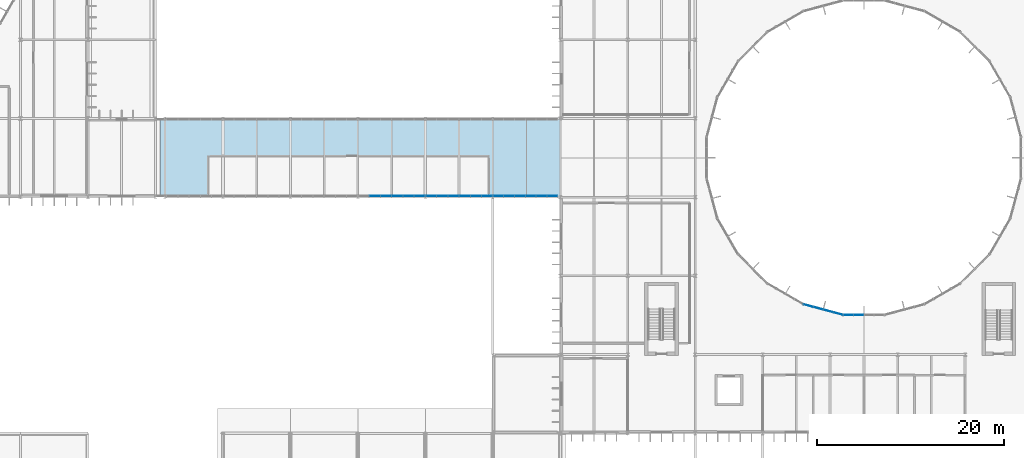
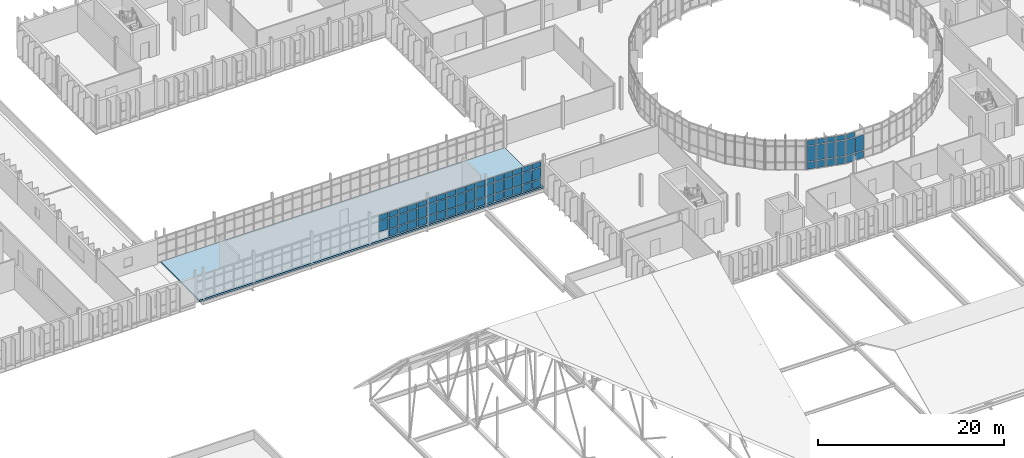
# One storey, part 58 of 99: 67 plates, 1 slab, 5 elements without a shape of their own.
"""IFC4 building model written with IfcOpenShell, lengths in metres."""

from ifc_helpers import new_model, si_unit, direction, frame, origin, origin_2d, place, context, subcontext, project, spatial, polyline, rectangle, outline, extrude, material, layer, layer_set, type_object, element, aggregate, save


model = new_model("IFC4")

# Units and contexts
model_context = context("Model", 3, precision=1e-05, world=origin(), true_north=direction((0.0, 1.0)))
body_context = subcontext(model_context, "Body", "Model", "MODEL_VIEW")
ifc_project = project(units=[si_unit("LENGTHUNIT", "METRE"), si_unit("AREAUNIT", "SQUARE_METRE"), si_unit("VOLUMEUNIT", "CUBIC_METRE"), si_unit("PLANEANGLEUNIT", "RADIAN"), si_unit("MASSUNIT", "GRAM", prefix="KILO")], contexts=[model_context])

# Site, building, storey
site_placement = place(None, origin())
site = spatial("IfcSite", under=ifc_project, at=site_placement, CompositionType="ELEMENT")
building_placement = place(site_placement, origin())
building = spatial("IfcBuilding", under=site, at=building_placement, Name="Qelthora Terrace Specialist Clinic", CompositionType="ELEMENT")
storey_placement = place(building_placement, frame((0.0, 0.0, 9.0)))
storey = spatial("IfcBuildingStorey", under=building, at=storey_placement, Name="L02", CompositionType="ELEMENT", Elevation=9.0)

# Curtain wall, plates
ifc_material_1 = material(Name="Aluminium anodized bronze", Category="aluminium")
curtain_wall_type_1 = type_object("IfcCurtainWallType", Name="CW-CRTE-UPP", PredefinedType="NOTDEFINED", material=ifc_material_1)
curtain_wall_1_placement = place(storey_placement, origin())
curtain_wall_1 = element("IfcCurtainWall", 1, at=curtain_wall_1_placement, inside=storey, type_object=curtain_wall_type_1, Name="Curtain wall CW-CE-L02-17", PredefinedType="NOTDEFINED")
ifc_material_2 = material(Name="Low-E triple-silver insulating glass", Category="glass")
ifc_layer_1 = layer(ifc_material_2, 0.035888671875)
ifc_layer_set_1 = layer_set([ifc_layer_1], Name="Low-E triple-silver insulating glass")
plate_type = type_object("IfcPlateType", Name="CWP-IGU-36", PredefinedType="CURTAIN_PANEL", material=ifc_layer_set_1)
plate_1_placement = place(storey_placement, frame((120.0693359375, 47.220947265625, 0.0849609375), z_axis=(0.0, 0.0, 1.0), x_axis=(0.965925826289, -0.258819045103, 0.0)))
plate_1 = element("IfcPlate", 2, at=plate_1_placement, type_object=plate_type, Name="CW-CE-L02-17 glazed panel 1", PredefinedType="CURTAIN_PANEL", context=body_context, shape_type="SweptSolid", body=[
    extrude(rectangle(XDim=0.996337890625, YDim=0.035888671875, at=origin_2d()), origin(), (0.0, 0.0, 1.0), 0.919921875),
])
plate_2_placement = place(storey_placement, frame((120.0693359375, 47.220947265625, 1.094970703125), z_axis=(0.0, 0.0, 1.0), x_axis=(0.965925826289, -0.258819045103, 0.0)))
plate_2 = element("IfcPlate", 3, at=plate_2_placement, type_object=plate_type, Name="CW-CE-L02-17 glazed panel 2", PredefinedType="CURTAIN_PANEL", context=body_context, shape_type="SweptSolid", body=[
    extrude(rectangle(XDim=0.996337890625, YDim=0.035888671875, at=origin_2d()), origin(), (0.0, 0.0, 1.0), 2.0048828125),
])
plate_3_placement = place(storey_placement, frame((120.0693359375, 47.220947265625, 3.18994140625), z_axis=(0.0, 0.0, 1.0), x_axis=(0.965925826289, -0.258819045103, 0.0)))
plate_3 = element("IfcPlate", 4, at=plate_3_placement, type_object=plate_type, Name="CW-CE-L02-17 glazed panel 3", PredefinedType="CURTAIN_PANEL", context=body_context, shape_type="SweptSolid", body=[
    extrude(rectangle(XDim=0.996337890625, YDim=0.035888671875, at=origin_2d()), origin(), (0.0, 0.0, 1.0), 0.669921875),
])
plate_4_placement = place(storey_placement, frame((121.12841796875, 46.937255859375, 0.0849609375), z_axis=(0.0, 0.0, 1.0), x_axis=(0.965925826289, -0.258819045103, 0.0)))
plate_4 = element("IfcPlate", 5, at=plate_4_placement, type_object=plate_type, Name="CW-CE-L02-17 glazed panel 4", PredefinedType="CURTAIN_PANEL", context=body_context, shape_type="SweptSolid", body=[
    extrude(rectangle(XDim=0.996337890625, YDim=0.035888671875, at=origin_2d()), origin(), (0.0, 0.0, 1.0), 0.919921875),
])
plate_5_placement = place(storey_placement, frame((121.12841796875, 46.937255859375, 1.094970703125), z_axis=(0.0, 0.0, 1.0), x_axis=(0.965925826289, -0.258819045103, 0.0)))
plate_5 = element("IfcPlate", 6, at=plate_5_placement, type_object=plate_type, Name="CW-CE-L02-17 glazed panel 5", PredefinedType="CURTAIN_PANEL", context=body_context, shape_type="SweptSolid", body=[
    extrude(rectangle(XDim=0.996337890625, YDim=0.035888671875, at=origin_2d()), origin(), (0.0, 0.0, 1.0), 2.0048828125),
])
plate_6_placement = place(storey_placement, frame((121.12841796875, 46.937255859375, 3.18994140625), z_axis=(0.0, 0.0, 1.0), x_axis=(0.965925826289, -0.258819045103, 0.0)))
plate_6 = element("IfcPlate", 7, at=plate_6_placement, type_object=plate_type, Name="CW-CE-L02-17 glazed panel 6", PredefinedType="CURTAIN_PANEL", context=body_context, shape_type="SweptSolid", body=[
    extrude(rectangle(XDim=0.996337890625, YDim=0.035888671875, at=origin_2d()), origin(), (0.0, 0.0, 1.0), 0.669921875),
])
plate_7_placement = place(storey_placement, frame((122.1875, 46.653564453125, 0.0849609375), z_axis=(0.0, 0.0, 1.0), x_axis=(0.965925826289, -0.258819045103, 0.0)))
plate_7 = element("IfcPlate", 8, at=plate_7_placement, type_object=plate_type, Name="CW-CE-L02-17 glazed panel 7", PredefinedType="CURTAIN_PANEL", context=body_context, shape_type="SweptSolid", body=[
    extrude(rectangle(XDim=0.996337890625, YDim=0.035888671875, at=origin_2d()), origin(), (0.0, 0.0, 1.0), 0.919921875),
])
plate_8_placement = place(storey_placement, frame((122.1875, 46.653564453125, 1.094970703125), z_axis=(0.0, 0.0, 1.0), x_axis=(0.965925826289, -0.258819045103, 0.0)))
plate_8 = element("IfcPlate", 9, at=plate_8_placement, type_object=plate_type, Name="CW-CE-L02-17 glazed panel 8", PredefinedType="CURTAIN_PANEL", context=body_context, shape_type="SweptSolid", body=[
    extrude(rectangle(XDim=0.996337890625, YDim=0.035888671875, at=origin_2d()), origin(), (0.0, 0.0, 1.0), 2.0048828125),
])
plate_9_placement = place(storey_placement, frame((122.1875, 46.653564453125, 3.18994140625), z_axis=(0.0, 0.0, 1.0), x_axis=(0.965925826289, -0.258819045103, 0.0)))
plate_9 = element("IfcPlate", 10, at=plate_9_placement, type_object=plate_type, Name="CW-CE-L02-17 glazed panel 9", PredefinedType="CURTAIN_PANEL", context=body_context, shape_type="SweptSolid", body=[
    extrude(rectangle(XDim=0.996337890625, YDim=0.035888671875, at=origin_2d()), origin(), (0.0, 0.0, 1.0), 0.669921875),
])
plate_10_placement = place(storey_placement, frame((123.24658203125, 46.36962890625, 0.0849609375), z_axis=(0.0, 0.0, 1.0), x_axis=(0.965925826289, -0.258819045103, 0.0)))
plate_10 = element("IfcPlate", 11, at=plate_10_placement, type_object=plate_type, Name="CW-CE-L02-17 glazed panel 10", PredefinedType="CURTAIN_PANEL", context=body_context, shape_type="SweptSolid", body=[
    extrude(rectangle(XDim=0.996337890625, YDim=0.035888671875, at=origin_2d()), origin(), (0.0, 0.0, 1.0), 0.919921875),
])
plate_11_placement = place(storey_placement, frame((123.24658203125, 46.36962890625, 1.094970703125), z_axis=(0.0, 0.0, 1.0), x_axis=(0.965925826289, -0.258819045103, 0.0)))
plate_11 = element("IfcPlate", 12, at=plate_11_placement, type_object=plate_type, Name="CW-CE-L02-17 glazed panel 11", PredefinedType="CURTAIN_PANEL", context=body_context, shape_type="SweptSolid", body=[
    extrude(rectangle(XDim=0.996337890625, YDim=0.035888671875, at=origin_2d()), origin(), (0.0, 0.0, 1.0), 2.0048828125),
])
plate_12_placement = place(storey_placement, frame((123.24658203125, 46.36962890625, 3.18994140625), z_axis=(0.0, 0.0, 1.0), x_axis=(0.965925826289, -0.258819045103, 0.0)))
plate_12 = element("IfcPlate", 13, at=plate_12_placement, type_object=plate_type, Name="CW-CE-L02-17 glazed panel 12", PredefinedType="CURTAIN_PANEL", context=body_context, shape_type="SweptSolid", body=[
    extrude(rectangle(XDim=0.996337890625, YDim=0.035888671875, at=origin_2d()), origin(), (0.0, 0.0, 1.0), 0.669921875),
])
aggregate(curtain_wall_1, [plate_1, plate_2, plate_3, plate_4, plate_5, plate_6, plate_7, plate_8, plate_9, plate_10, plate_11, plate_12])

curtain_wall_2_placement = place(storey_placement, origin())
curtain_wall_2 = element("IfcCurtainWall", 14, at=curtain_wall_2_placement, inside=storey, type_object=curtain_wall_type_1, Name="Curtain wall CW-CE-L02-18", PredefinedType="NOTDEFINED")
plate_13_placement = place(storey_placement, frame((124.35546875, 46.2236328125, 0.0849609375), z_axis=(0.0, 0.0, 1.0), x_axis=(1.0, 0.0, 0.0)))
plate_13 = element("IfcPlate", 15, at=plate_13_placement, type_object=plate_type, Name="CW-CE-L02-18 glazed panel 1", PredefinedType="CURTAIN_PANEL", context=body_context, shape_type="SweptSolid", body=[
    extrude(rectangle(XDim=0.996337890625, YDim=0.035888671875, at=origin_2d()), origin(), (0.0, 0.0, 1.0), 0.919921875),
])
plate_14_placement = place(storey_placement, frame((124.35546875, 46.2236328125, 1.094970703125), z_axis=(0.0, 0.0, 1.0), x_axis=(1.0, 0.0, 0.0)))
plate_14 = element("IfcPlate", 16, at=plate_14_placement, type_object=plate_type, Name="CW-CE-L02-18 glazed panel 2", PredefinedType="CURTAIN_PANEL", context=body_context, shape_type="SweptSolid", body=[
    extrude(rectangle(XDim=0.996337890625, YDim=0.035888671875, at=origin_2d()), origin(), (0.0, 0.0, 1.0), 2.0048828125),
])
plate_15_placement = place(storey_placement, frame((124.35546875, 46.2236328125, 3.18994140625), z_axis=(0.0, 0.0, 1.0), x_axis=(1.0, 0.0, 0.0)))
plate_15 = element("IfcPlate", 17, at=plate_15_placement, type_object=plate_type, Name="CW-CE-L02-18 glazed panel 3", PredefinedType="CURTAIN_PANEL", context=body_context, shape_type="SweptSolid", body=[
    extrude(rectangle(XDim=0.996337890625, YDim=0.035888671875, at=origin_2d()), origin(), (0.0, 0.0, 1.0), 0.669921875),
])
plate_16_placement = place(storey_placement, frame((125.451904296875, 46.2236328125, 0.0849609375), z_axis=(0.0, 0.0, 1.0), x_axis=(1.0, 0.0, 0.0)))
plate_16 = element("IfcPlate", 18, at=plate_16_placement, type_object=plate_type, Name="CW-CE-L02-18 glazed panel 4", PredefinedType="CURTAIN_PANEL", context=body_context, shape_type="SweptSolid", body=[
    extrude(rectangle(XDim=0.996337890625, YDim=0.035888671875, at=origin_2d()), origin(), (0.0, 0.0, 1.0), 0.919921875),
])
plate_17_placement = place(storey_placement, frame((125.451904296875, 46.2236328125, 1.094970703125), z_axis=(0.0, 0.0, 1.0), x_axis=(1.0, 0.0, 0.0)))
plate_17 = element("IfcPlate", 19, at=plate_17_placement, type_object=plate_type, Name="CW-CE-L02-18 glazed panel 5", PredefinedType="CURTAIN_PANEL", context=body_context, shape_type="SweptSolid", body=[
    extrude(rectangle(XDim=0.996337890625, YDim=0.035888671875, at=origin_2d()), origin(), (0.0, 0.0, 1.0), 2.0048828125),
])
aggregate(curtain_wall_2, [plate_13, plate_14, plate_15, plate_16, plate_17])

curtain_wall_type_2 = type_object("IfcCurtainWallType", Name="CW-BRG-L02", PredefinedType="NOTDEFINED", material=ifc_material_1)
curtain_wall_3_placement = place(storey_placement, origin())
curtain_wall_3 = element("IfcCurtainWall", 20, at=curtain_wall_3_placement, inside=storey, type_object=curtain_wall_type_2, Name="Curtain wall CW-L02-265", PredefinedType="NOTDEFINED")
plate_18_placement = place(storey_placement, frame((73.800048828125, 58.919921875, 1.09521484375), z_axis=(0.0, 0.0, 1.0), x_axis=(1.0, 0.0, 0.0)))
plate_18 = element("IfcPlate", 21, at=plate_18_placement, type_object=plate_type, Name="CW-L02-265 glazed panel 5", PredefinedType="CURTAIN_PANEL", context=body_context, shape_type="SweptSolid", body=[
    extrude(rectangle(XDim=1.10009765625, YDim=0.035888671875, at=origin_2d()), origin(), (0.0, 0.0, 1.0), 1.389892578125),
])
plate_19_placement = place(storey_placement, frame((73.800048828125, 58.919921875, 2.574951171875), z_axis=(0.0, 0.0, 1.0), x_axis=(1.0, 0.0, 0.0)))
plate_19 = element("IfcPlate", 22, at=plate_19_placement, type_object=plate_type, Name="CW-L02-265 glazed panel 6", PredefinedType="CURTAIN_PANEL", context=body_context, shape_type="SweptSolid", body=[
    extrude(rectangle(XDim=1.10009765625, YDim=0.035888671875, at=origin_2d()), origin(), (0.0, 0.0, 1.0), 0.669921875),
])
plate_20_placement = place(storey_placement, frame((75.0, 58.919921875, 0.0849609375), z_axis=(0.0, 0.0, 1.0), x_axis=(1.0, 0.0, 0.0)))
plate_20 = element("IfcPlate", 23, at=plate_20_placement, type_object=plate_type, Name="CW-L02-265 glazed panel 7", PredefinedType="CURTAIN_PANEL", context=body_context, shape_type="SweptSolid", body=[
    extrude(rectangle(XDim=1.10009765625, YDim=0.035888671875, at=origin_2d()), origin(), (0.0, 0.0, 1.0), 0.919921875),
])
plate_21_placement = place(storey_placement, frame((75.0, 58.919921875, 1.09521484375), z_axis=(0.0, 0.0, 1.0), x_axis=(1.0, 0.0, 0.0)))
plate_21 = element("IfcPlate", 24, at=plate_21_placement, type_object=plate_type, Name="CW-L02-265 glazed panel 8", PredefinedType="CURTAIN_PANEL", context=body_context, shape_type="SweptSolid", body=[
    extrude(rectangle(XDim=1.10009765625, YDim=0.035888671875, at=origin_2d()), origin(), (0.0, 0.0, 1.0), 1.389892578125),
])
plate_22_placement = place(storey_placement, frame((75.0, 58.919921875, 2.574951171875), z_axis=(0.0, 0.0, 1.0), x_axis=(1.0, 0.0, 0.0)))
plate_22 = element("IfcPlate", 25, at=plate_22_placement, type_object=plate_type, Name="CW-L02-265 glazed panel 9", PredefinedType="CURTAIN_PANEL", context=body_context, shape_type="SweptSolid", body=[
    extrude(rectangle(XDim=1.10009765625, YDim=0.035888671875, at=origin_2d()), origin(), (0.0, 0.0, 1.0), 0.669921875),
])
plate_23_placement = place(storey_placement, frame((76.199951171875, 58.919921875, 0.0849609375), z_axis=(0.0, 0.0, 1.0), x_axis=(1.0, 0.0, 0.0)))
plate_23 = element("IfcPlate", 26, at=plate_23_placement, type_object=plate_type, Name="CW-L02-265 glazed panel 10", PredefinedType="CURTAIN_PANEL", context=body_context, shape_type="SweptSolid", body=[
    extrude(rectangle(XDim=1.10009765625, YDim=0.035888671875, at=origin_2d()), origin(), (0.0, 0.0, 1.0), 0.919921875),
])
plate_24_placement = place(storey_placement, frame((76.199951171875, 58.919921875, 1.09521484375), z_axis=(0.0, 0.0, 1.0), x_axis=(1.0, 0.0, 0.0)))
plate_24 = element("IfcPlate", 27, at=plate_24_placement, type_object=plate_type, Name="CW-L02-265 glazed panel 11", PredefinedType="CURTAIN_PANEL", context=body_context, shape_type="SweptSolid", body=[
    extrude(rectangle(XDim=1.10009765625, YDim=0.035888671875, at=origin_2d()), origin(), (0.0, 0.0, 1.0), 1.389892578125),
])
plate_25_placement = place(storey_placement, frame((76.199951171875, 58.919921875, 2.574951171875), z_axis=(0.0, 0.0, 1.0), x_axis=(1.0, 0.0, 0.0)))
plate_25 = element("IfcPlate", 28, at=plate_25_placement, type_object=plate_type, Name="CW-L02-265 glazed panel 12", PredefinedType="CURTAIN_PANEL", context=body_context, shape_type="SweptSolid", body=[
    extrude(rectangle(XDim=1.10009765625, YDim=0.035888671875, at=origin_2d()), origin(), (0.0, 0.0, 1.0), 0.669921875),
])
plate_26_placement = place(storey_placement, frame((77.39990234375, 58.919921875, 0.0849609375), z_axis=(0.0, 0.0, 1.0), x_axis=(1.0, 0.0, 0.0)))
plate_26 = element("IfcPlate", 29, at=plate_26_placement, type_object=plate_type, Name="CW-L02-265 glazed panel 13", PredefinedType="CURTAIN_PANEL", context=body_context, shape_type="SweptSolid", body=[
    extrude(rectangle(XDim=1.10009765625, YDim=0.035888671875, at=origin_2d()), origin(), (0.0, 0.0, 1.0), 0.919921875),
])
plate_27_placement = place(storey_placement, frame((77.39990234375, 58.919921875, 1.09521484375), z_axis=(0.0, 0.0, 1.0), x_axis=(1.0, 0.0, 0.0)))
plate_27 = element("IfcPlate", 30, at=plate_27_placement, type_object=plate_type, Name="CW-L02-265 glazed panel 14", PredefinedType="CURTAIN_PANEL", context=body_context, shape_type="SweptSolid", body=[
    extrude(rectangle(XDim=1.10009765625, YDim=0.035888671875, at=origin_2d()), origin(), (0.0, 0.0, 1.0), 1.389892578125),
])
plate_28_placement = place(storey_placement, frame((77.39990234375, 58.919921875, 2.574951171875), z_axis=(0.0, 0.0, 1.0), x_axis=(1.0, 0.0, 0.0)))
plate_28 = element("IfcPlate", 31, at=plate_28_placement, type_object=plate_type, Name="CW-L02-265 glazed panel 15", PredefinedType="CURTAIN_PANEL", context=body_context, shape_type="SweptSolid", body=[
    extrude(rectangle(XDim=1.10009765625, YDim=0.035888671875, at=origin_2d()), origin(), (0.0, 0.0, 1.0), 0.669921875),
])
plate_29_placement = place(storey_placement, frame((78.60009765625, 58.919921875, 0.0849609375), z_axis=(0.0, 0.0, 1.0), x_axis=(1.0, 0.0, 0.0)))
plate_29 = element("IfcPlate", 32, at=plate_29_placement, type_object=plate_type, Name="CW-L02-265 glazed panel 16", PredefinedType="CURTAIN_PANEL", context=body_context, shape_type="SweptSolid", body=[
    extrude(rectangle(XDim=1.10009765625, YDim=0.035888671875, at=origin_2d()), origin(), (0.0, 0.0, 1.0), 0.919921875),
])
plate_30_placement = place(storey_placement, frame((78.60009765625, 58.919921875, 1.09521484375), z_axis=(0.0, 0.0, 1.0), x_axis=(1.0, 0.0, 0.0)))
plate_30 = element("IfcPlate", 33, at=plate_30_placement, type_object=plate_type, Name="CW-L02-265 glazed panel 17", PredefinedType="CURTAIN_PANEL", context=body_context, shape_type="SweptSolid", body=[
    extrude(rectangle(XDim=1.10009765625, YDim=0.035888671875, at=origin_2d()), origin(), (0.0, 0.0, 1.0), 1.389892578125),
])
plate_31_placement = place(storey_placement, frame((78.60009765625, 58.919921875, 2.574951171875), z_axis=(0.0, 0.0, 1.0), x_axis=(1.0, 0.0, 0.0)))
plate_31 = element("IfcPlate", 34, at=plate_31_placement, type_object=plate_type, Name="CW-L02-265 glazed panel 18", PredefinedType="CURTAIN_PANEL", context=body_context, shape_type="SweptSolid", body=[
    extrude(rectangle(XDim=1.10009765625, YDim=0.035888671875, at=origin_2d()), origin(), (0.0, 0.0, 1.0), 0.669921875),
])
aggregate(curtain_wall_3, [plate_18, plate_19, plate_20, plate_21, plate_22, plate_23, plate_24, plate_25, plate_26, plate_27, plate_28, plate_29, plate_30, plate_31])

curtain_wall_4_placement = place(storey_placement, origin())
curtain_wall_4 = element("IfcCurtainWall", 35, at=curtain_wall_4_placement, inside=storey, type_object=curtain_wall_type_2, Name="Curtain wall CW-L02-266", PredefinedType="NOTDEFINED")
plate_32_placement = place(storey_placement, frame((79.800048828125, 58.919921875, 0.0849609375), z_axis=(0.0, 0.0, 1.0), x_axis=(1.0, 0.0, 0.0)))
plate_32 = element("IfcPlate", 36, at=plate_32_placement, type_object=plate_type, Name="CW-L02-266 glazed panel 1", PredefinedType="CURTAIN_PANEL", context=body_context, shape_type="SweptSolid", body=[
    extrude(rectangle(XDim=1.10009765625, YDim=0.035888671875, at=origin_2d()), origin(), (0.0, 0.0, 1.0), 0.919921875),
])
plate_33_placement = place(storey_placement, frame((79.800048828125, 58.919921875, 1.094970703125), z_axis=(0.0, 0.0, 1.0), x_axis=(1.0, 0.0, 0.0)))
plate_33 = element("IfcPlate", 37, at=plate_33_placement, type_object=plate_type, Name="CW-L02-266 glazed panel 2", PredefinedType="CURTAIN_PANEL", context=body_context, shape_type="SweptSolid", body=[
    extrude(rectangle(XDim=1.10009765625, YDim=0.035888671875, at=origin_2d()), origin(), (0.0, 0.0, 1.0), 1.4580078125),
])
plate_34_placement = place(storey_placement, frame((79.800048828125, 58.919921875, 2.64306640625), z_axis=(0.0, 0.0, 1.0), x_axis=(1.0, 0.0, 0.0)))
plate_34 = element("IfcPlate", 38, at=plate_34_placement, type_object=plate_type, Name="CW-L02-266 glazed panel 3", PredefinedType="CURTAIN_PANEL", context=body_context, shape_type="SweptSolid", body=[
    extrude(rectangle(XDim=1.10009765625, YDim=0.035888671875, at=origin_2d()), origin(), (0.0, 0.0, 1.0), 0.669921875),
])
plate_35_placement = place(storey_placement, frame((81.0, 58.919921875, 0.0849609375), z_axis=(0.0, 0.0, 1.0), x_axis=(1.0, 0.0, 0.0)))
plate_35 = element("IfcPlate", 39, at=plate_35_placement, type_object=plate_type, Name="CW-L02-266 glazed panel 4", PredefinedType="CURTAIN_PANEL", context=body_context, shape_type="SweptSolid", body=[
    extrude(rectangle(XDim=1.10009765625, YDim=0.035888671875, at=origin_2d()), origin(), (0.0, 0.0, 1.0), 0.919921875),
])
plate_36_placement = place(storey_placement, frame((81.0, 58.919921875, 1.094970703125), z_axis=(0.0, 0.0, 1.0), x_axis=(1.0, 0.0, 0.0)))
plate_36 = element("IfcPlate", 40, at=plate_36_placement, type_object=plate_type, Name="CW-L02-266 glazed panel 5", PredefinedType="CURTAIN_PANEL", context=body_context, shape_type="SweptSolid", body=[
    extrude(rectangle(XDim=1.10009765625, YDim=0.035888671875, at=origin_2d()), origin(), (0.0, 0.0, 1.0), 1.4580078125),
])
plate_37_placement = place(storey_placement, frame((81.0, 58.919921875, 2.64306640625), z_axis=(0.0, 0.0, 1.0), x_axis=(1.0, 0.0, 0.0)))
plate_37 = element("IfcPlate", 41, at=plate_37_placement, type_object=plate_type, Name="CW-L02-266 glazed panel 6", PredefinedType="CURTAIN_PANEL", context=body_context, shape_type="SweptSolid", body=[
    extrude(rectangle(XDim=1.10009765625, YDim=0.035888671875, at=origin_2d()), origin(), (0.0, 0.0, 1.0), 0.669921875),
])
plate_38_placement = place(storey_placement, frame((82.199951171875, 58.919921875, 0.0849609375), z_axis=(0.0, 0.0, 1.0), x_axis=(1.0, 0.0, 0.0)))
plate_38 = element("IfcPlate", 42, at=plate_38_placement, type_object=plate_type, Name="CW-L02-266 glazed panel 7", PredefinedType="CURTAIN_PANEL", context=body_context, shape_type="SweptSolid", body=[
    extrude(rectangle(XDim=1.10009765625, YDim=0.035888671875, at=origin_2d()), origin(), (0.0, 0.0, 1.0), 0.919921875),
])
plate_39_placement = place(storey_placement, frame((82.199951171875, 58.919921875, 1.094970703125), z_axis=(0.0, 0.0, 1.0), x_axis=(1.0, 0.0, 0.0)))
plate_39 = element("IfcPlate", 43, at=plate_39_placement, type_object=plate_type, Name="CW-L02-266 glazed panel 8", PredefinedType="CURTAIN_PANEL", context=body_context, shape_type="SweptSolid", body=[
    extrude(rectangle(XDim=1.10009765625, YDim=0.035888671875, at=origin_2d()), origin(), (0.0, 0.0, 1.0), 1.4580078125),
])
plate_40_placement = place(storey_placement, frame((82.199951171875, 58.919921875, 2.64306640625), z_axis=(0.0, 0.0, 1.0), x_axis=(1.0, 0.0, 0.0)))
plate_40 = element("IfcPlate", 44, at=plate_40_placement, type_object=plate_type, Name="CW-L02-266 glazed panel 9", PredefinedType="CURTAIN_PANEL", context=body_context, shape_type="SweptSolid", body=[
    extrude(rectangle(XDim=1.10009765625, YDim=0.035888671875, at=origin_2d()), origin(), (0.0, 0.0, 1.0), 0.669921875),
])
plate_41_placement = place(storey_placement, frame((83.39990234375, 58.919921875, 0.0849609375), z_axis=(0.0, 0.0, 1.0), x_axis=(1.0, 0.0, 0.0)))
plate_41 = element("IfcPlate", 45, at=plate_41_placement, type_object=plate_type, Name="CW-L02-266 glazed panel 10", PredefinedType="CURTAIN_PANEL", context=body_context, shape_type="SweptSolid", body=[
    extrude(rectangle(XDim=1.10009765625, YDim=0.035888671875, at=origin_2d()), origin(), (0.0, 0.0, 1.0), 0.919921875),
])
plate_42_placement = place(storey_placement, frame((83.39990234375, 58.919921875, 1.094970703125), z_axis=(0.0, 0.0, 1.0), x_axis=(1.0, 0.0, 0.0)))
plate_42 = element("IfcPlate", 46, at=plate_42_placement, type_object=plate_type, Name="CW-L02-266 glazed panel 11", PredefinedType="CURTAIN_PANEL", context=body_context, shape_type="SweptSolid", body=[
    extrude(rectangle(XDim=1.10009765625, YDim=0.035888671875, at=origin_2d()), origin(), (0.0, 0.0, 1.0), 1.4580078125),
])
plate_43_placement = place(storey_placement, frame((83.39990234375, 58.919921875, 2.64306640625), z_axis=(0.0, 0.0, 1.0), x_axis=(1.0, 0.0, 0.0)))
plate_43 = element("IfcPlate", 47, at=plate_43_placement, type_object=plate_type, Name="CW-L02-266 glazed panel 12", PredefinedType="CURTAIN_PANEL", context=body_context, shape_type="SweptSolid", body=[
    extrude(rectangle(XDim=1.10009765625, YDim=0.035888671875, at=origin_2d()), origin(), (0.0, 0.0, 1.0), 0.669921875),
])
plate_44_placement = place(storey_placement, frame((84.60009765625, 58.919921875, 0.0849609375), z_axis=(0.0, 0.0, 1.0), x_axis=(1.0, 0.0, 0.0)))
plate_44 = element("IfcPlate", 48, at=plate_44_placement, type_object=plate_type, Name="CW-L02-266 glazed panel 13", PredefinedType="CURTAIN_PANEL", context=body_context, shape_type="SweptSolid", body=[
    extrude(rectangle(XDim=1.10009765625, YDim=0.035888671875, at=origin_2d()), origin(), (0.0, 0.0, 1.0), 0.919921875),
])
plate_45_placement = place(storey_placement, frame((84.60009765625, 58.919921875, 1.094970703125), z_axis=(0.0, 0.0, 1.0), x_axis=(1.0, 0.0, 0.0)))
plate_45 = element("IfcPlate", 49, at=plate_45_placement, type_object=plate_type, Name="CW-L02-266 glazed panel 14", PredefinedType="CURTAIN_PANEL", context=body_context, shape_type="SweptSolid", body=[
    extrude(rectangle(XDim=1.10009765625, YDim=0.035888671875, at=origin_2d()), origin(), (0.0, 0.0, 1.0), 1.4580078125),
])
plate_46_placement = place(storey_placement, frame((84.60009765625, 58.919921875, 2.64306640625), z_axis=(0.0, 0.0, 1.0), x_axis=(1.0, 0.0, 0.0)))
plate_46 = element("IfcPlate", 50, at=plate_46_placement, type_object=plate_type, Name="CW-L02-266 glazed panel 15", PredefinedType="CURTAIN_PANEL", context=body_context, shape_type="SweptSolid", body=[
    extrude(rectangle(XDim=1.10009765625, YDim=0.035888671875, at=origin_2d()), origin(), (0.0, 0.0, 1.0), 0.669921875),
])
plate_47_placement = place(storey_placement, frame((85.800048828125, 58.919921875, 0.0849609375), z_axis=(0.0, 0.0, 1.0), x_axis=(1.0, 0.0, 0.0)))
plate_47 = element("IfcPlate", 51, at=plate_47_placement, type_object=plate_type, Name="CW-L02-266 glazed panel 16", PredefinedType="CURTAIN_PANEL", context=body_context, shape_type="SweptSolid", body=[
    extrude(rectangle(XDim=1.10009765625, YDim=0.035888671875, at=origin_2d()), origin(), (0.0, 0.0, 1.0), 0.919921875),
])
plate_48_placement = place(storey_placement, frame((85.800048828125, 58.919921875, 1.094970703125), z_axis=(0.0, 0.0, 1.0), x_axis=(1.0, 0.0, 0.0)))
plate_48 = element("IfcPlate", 52, at=plate_48_placement, type_object=plate_type, Name="CW-L02-266 glazed panel 17", PredefinedType="CURTAIN_PANEL", context=body_context, shape_type="SweptSolid", body=[
    extrude(rectangle(XDim=1.10009765625, YDim=0.035888671875, at=origin_2d()), origin(), (0.0, 0.0, 1.0), 1.4580078125),
])
plate_49_placement = place(storey_placement, frame((85.800048828125, 58.919921875, 2.64306640625), z_axis=(0.0, 0.0, 1.0), x_axis=(1.0, 0.0, 0.0)))
plate_49 = element("IfcPlate", 53, at=plate_49_placement, type_object=plate_type, Name="CW-L02-266 glazed panel 18", PredefinedType="CURTAIN_PANEL", context=body_context, shape_type="SweptSolid", body=[
    extrude(rectangle(XDim=1.10009765625, YDim=0.035888671875, at=origin_2d()), origin(), (0.0, 0.0, 1.0), 0.669921875),
])
aggregate(curtain_wall_4, [plate_32, plate_33, plate_34, plate_35, plate_36, plate_37, plate_38, plate_39, plate_40, plate_41, plate_42, plate_43, plate_44, plate_45, plate_46, plate_47, plate_48, plate_49])

curtain_wall_5_placement = place(storey_placement, origin())
curtain_wall_5 = element("IfcCurtainWall", 54, at=curtain_wall_5_placement, inside=storey, type_object=curtain_wall_type_2, Name="Curtain wall CW-L02-267", PredefinedType="NOTDEFINED")
plate_50_placement = place(storey_placement, frame((86.978271484375, 58.919921875, 0.0849609375), z_axis=(0.0, 0.0, 1.0), x_axis=(1.0, 0.0, 0.0)))
plate_50 = element("IfcPlate", 55, at=plate_50_placement, type_object=plate_type, Name="CW-L02-267 glazed panel 1", PredefinedType="CURTAIN_PANEL", context=body_context, shape_type="SweptSolid", body=[
    extrude(rectangle(XDim=1.056640625, YDim=0.035888671875, at=origin_2d()), origin(), (0.0, 0.0, 1.0), 0.919921875),
])
plate_51_placement = place(storey_placement, frame((86.978271484375, 58.919921875, 1.0947265625), z_axis=(0.0, 0.0, 1.0), x_axis=(1.0, 0.0, 0.0)))
plate_51 = element("IfcPlate", 56, at=plate_51_placement, type_object=plate_type, Name="CW-L02-267 glazed panel 2", PredefinedType="CURTAIN_PANEL", context=body_context, shape_type="SweptSolid", body=[
    extrude(rectangle(XDim=1.056640625, YDim=0.035888671875, at=origin_2d()), origin(), (0.0, 0.0, 1.0), 1.465087890625),
])
plate_52_placement = place(storey_placement, frame((86.978271484375, 58.919921875, 2.650146484375), z_axis=(0.0, 0.0, 1.0), x_axis=(1.0, 0.0, 0.0)))
plate_52 = element("IfcPlate", 57, at=plate_52_placement, type_object=plate_type, Name="CW-L02-267 glazed panel 3", PredefinedType="CURTAIN_PANEL", context=body_context, shape_type="SweptSolid", body=[
    extrude(rectangle(XDim=1.056640625, YDim=0.035888671875, at=origin_2d()), origin(), (0.0, 0.0, 1.0), 0.669921875),
])
plate_53_placement = place(storey_placement, frame((88.135009765625, 58.919921875, 0.0849609375), z_axis=(0.0, 0.0, 1.0), x_axis=(1.0, 0.0, 0.0)))
plate_53 = element("IfcPlate", 58, at=plate_53_placement, type_object=plate_type, Name="CW-L02-267 glazed panel 4", PredefinedType="CURTAIN_PANEL", context=body_context, shape_type="SweptSolid", body=[
    extrude(rectangle(XDim=1.056640625, YDim=0.035888671875, at=origin_2d()), origin(), (0.0, 0.0, 1.0), 0.919921875),
])
plate_54_placement = place(storey_placement, frame((88.135009765625, 58.919921875, 1.0947265625), z_axis=(0.0, 0.0, 1.0), x_axis=(1.0, 0.0, 0.0)))
plate_54 = element("IfcPlate", 59, at=plate_54_placement, type_object=plate_type, Name="CW-L02-267 glazed panel 5", PredefinedType="CURTAIN_PANEL", context=body_context, shape_type="SweptSolid", body=[
    extrude(rectangle(XDim=1.056640625, YDim=0.035888671875, at=origin_2d()), origin(), (0.0, 0.0, 1.0), 1.465087890625),
])
plate_55_placement = place(storey_placement, frame((88.135009765625, 58.919921875, 2.650146484375), z_axis=(0.0, 0.0, 1.0), x_axis=(1.0, 0.0, 0.0)))
plate_55 = element("IfcPlate", 60, at=plate_55_placement, type_object=plate_type, Name="CW-L02-267 glazed panel 6", PredefinedType="CURTAIN_PANEL", context=body_context, shape_type="SweptSolid", body=[
    extrude(rectangle(XDim=1.056640625, YDim=0.035888671875, at=origin_2d()), origin(), (0.0, 0.0, 1.0), 0.669921875),
])
plate_56_placement = place(storey_placement, frame((89.291748046875, 58.919921875, 0.0849609375), z_axis=(0.0, 0.0, 1.0), x_axis=(1.0, 0.0, 0.0)))
plate_56 = element("IfcPlate", 61, at=plate_56_placement, type_object=plate_type, Name="CW-L02-267 glazed panel 7", PredefinedType="CURTAIN_PANEL", context=body_context, shape_type="SweptSolid", body=[
    extrude(rectangle(XDim=1.056640625, YDim=0.035888671875, at=origin_2d()), origin(), (0.0, 0.0, 1.0), 0.919921875),
])
plate_57_placement = place(storey_placement, frame((89.291748046875, 58.919921875, 1.0947265625), z_axis=(0.0, 0.0, 1.0), x_axis=(1.0, 0.0, 0.0)))
plate_57 = element("IfcPlate", 62, at=plate_57_placement, type_object=plate_type, Name="CW-L02-267 glazed panel 8", PredefinedType="CURTAIN_PANEL", context=body_context, shape_type="SweptSolid", body=[
    extrude(rectangle(XDim=1.056640625, YDim=0.035888671875, at=origin_2d()), origin(), (0.0, 0.0, 1.0), 1.465087890625),
])
plate_58_placement = place(storey_placement, frame((89.291748046875, 58.919921875, 2.650146484375), z_axis=(0.0, 0.0, 1.0), x_axis=(1.0, 0.0, 0.0)))
plate_58 = element("IfcPlate", 63, at=plate_58_placement, type_object=plate_type, Name="CW-L02-267 glazed panel 9", PredefinedType="CURTAIN_PANEL", context=body_context, shape_type="SweptSolid", body=[
    extrude(rectangle(XDim=1.056640625, YDim=0.035888671875, at=origin_2d()), origin(), (0.0, 0.0, 1.0), 0.669921875),
])
plate_59_placement = place(storey_placement, frame((90.4482421875, 58.919921875, 0.0849609375), z_axis=(0.0, 0.0, 1.0), x_axis=(1.0, 0.0, 0.0)))
plate_59 = element("IfcPlate", 64, at=plate_59_placement, type_object=plate_type, Name="CW-L02-267 glazed panel 10", PredefinedType="CURTAIN_PANEL", context=body_context, shape_type="SweptSolid", body=[
    extrude(rectangle(XDim=1.056640625, YDim=0.035888671875, at=origin_2d()), origin(), (0.0, 0.0, 1.0), 0.919921875),
])
plate_60_placement = place(storey_placement, frame((90.4482421875, 58.919921875, 1.0947265625), z_axis=(0.0, 0.0, 1.0), x_axis=(1.0, 0.0, 0.0)))
plate_60 = element("IfcPlate", 65, at=plate_60_placement, type_object=plate_type, Name="CW-L02-267 glazed panel 11", PredefinedType="CURTAIN_PANEL", context=body_context, shape_type="SweptSolid", body=[
    extrude(rectangle(XDim=1.056640625, YDim=0.035888671875, at=origin_2d()), origin(), (0.0, 0.0, 1.0), 1.465087890625),
])
plate_61_placement = place(storey_placement, frame((90.4482421875, 58.919921875, 2.650146484375), z_axis=(0.0, 0.0, 1.0), x_axis=(1.0, 0.0, 0.0)))
plate_61 = element("IfcPlate", 66, at=plate_61_placement, type_object=plate_type, Name="CW-L02-267 glazed panel 12", PredefinedType="CURTAIN_PANEL", context=body_context, shape_type="SweptSolid", body=[
    extrude(rectangle(XDim=1.056640625, YDim=0.035888671875, at=origin_2d()), origin(), (0.0, 0.0, 1.0), 0.669921875),
])
plate_62_placement = place(storey_placement, frame((91.60498046875, 58.919921875, 0.0849609375), z_axis=(0.0, 0.0, 1.0), x_axis=(1.0, 0.0, 0.0)))
plate_62 = element("IfcPlate", 67, at=plate_62_placement, type_object=plate_type, Name="CW-L02-267 glazed panel 13", PredefinedType="CURTAIN_PANEL", context=body_context, shape_type="SweptSolid", body=[
    extrude(rectangle(XDim=1.056640625, YDim=0.035888671875, at=origin_2d()), origin(), (0.0, 0.0, 1.0), 0.919921875),
])
plate_63_placement = place(storey_placement, frame((91.60498046875, 58.919921875, 1.0947265625), z_axis=(0.0, 0.0, 1.0), x_axis=(1.0, 0.0, 0.0)))
plate_63 = element("IfcPlate", 68, at=plate_63_placement, type_object=plate_type, Name="CW-L02-267 glazed panel 14", PredefinedType="CURTAIN_PANEL", context=body_context, shape_type="SweptSolid", body=[
    extrude(rectangle(XDim=1.056640625, YDim=0.035888671875, at=origin_2d()), origin(), (0.0, 0.0, 1.0), 1.465087890625),
])
plate_64_placement = place(storey_placement, frame((91.60498046875, 58.919921875, 2.650146484375), z_axis=(0.0, 0.0, 1.0), x_axis=(1.0, 0.0, 0.0)))
plate_64 = element("IfcPlate", 69, at=plate_64_placement, type_object=plate_type, Name="CW-L02-267 glazed panel 15", PredefinedType="CURTAIN_PANEL", context=body_context, shape_type="SweptSolid", body=[
    extrude(rectangle(XDim=1.056640625, YDim=0.035888671875, at=origin_2d()), origin(), (0.0, 0.0, 1.0), 0.669921875),
])
plate_65_placement = place(storey_placement, frame((92.76171875, 58.919921875, 0.0849609375), z_axis=(0.0, 0.0, 1.0), x_axis=(1.0, 0.0, 0.0)))
plate_65 = element("IfcPlate", 70, at=plate_65_placement, type_object=plate_type, Name="CW-L02-267 glazed panel 16", PredefinedType="CURTAIN_PANEL", context=body_context, shape_type="SweptSolid", body=[
    extrude(rectangle(XDim=1.056640625, YDim=0.035888671875, at=origin_2d()), origin(), (0.0, 0.0, 1.0), 0.919921875),
])
plate_66_placement = place(storey_placement, frame((92.76171875, 58.919921875, 1.0947265625), z_axis=(0.0, 0.0, 1.0), x_axis=(1.0, 0.0, 0.0)))
plate_66 = element("IfcPlate", 71, at=plate_66_placement, type_object=plate_type, Name="CW-L02-267 glazed panel 17", PredefinedType="CURTAIN_PANEL", context=body_context, shape_type="SweptSolid", body=[
    extrude(rectangle(XDim=1.056640625, YDim=0.035888671875, at=origin_2d()), origin(), (0.0, 0.0, 1.0), 1.465087890625),
])
plate_67_placement = place(storey_placement, frame((92.76171875, 58.919921875, 2.650146484375), z_axis=(0.0, 0.0, 1.0), x_axis=(1.0, 0.0, 0.0)))
plate_67 = element("IfcPlate", 72, at=plate_67_placement, type_object=plate_type, Name="CW-L02-267 glazed panel 18", PredefinedType="CURTAIN_PANEL", context=body_context, shape_type="SweptSolid", body=[
    extrude(rectangle(XDim=1.056640625, YDim=0.035888671875, at=origin_2d()), origin(), (0.0, 0.0, 1.0), 0.669921875),
])
aggregate(curtain_wall_5, [plate_50, plate_51, plate_52, plate_53, plate_54, plate_55, plate_56, plate_57, plate_58, plate_59, plate_60, plate_61, plate_62, plate_63, plate_64, plate_65, plate_66, plate_67])

# Slab
ifc_material_3 = material(Name="Concrete C30/37", Category="concrete")
ifc_layer_2 = layer(ifc_material_3, 0.219970703125)
ifc_layer_set_2 = layer_set([ifc_layer_2], Name="Concrete C30/37")
slab_type = type_object("IfcSlabType", Name="SLB-FLR-220-C30", PredefinedType="FLOOR", material=ifc_layer_set_2)
slab_placement = place(storey_placement, frame((0.0, 0.0, -0.219970703125)))
element("IfcSlab", 73, at=slab_placement, inside=storey, type_object=slab_type, Name="L02 V7 slab SLB-L02-BRGE", PredefinedType="FLOOR", context=body_context, shape_type="SweptSolid", body=[
    extrude(outline(polyline([(50.949951171875, 67.199951171875), (93.60009765625, 67.199951171875), (93.60009765625, 58.800048828125), (50.949951171875, 58.800048828125), (50.949951171875, 67.199951171875)])), origin(), (0.0, 0.0, 1.0), 0.219970703125),
])

save(model, "model.ifc")
